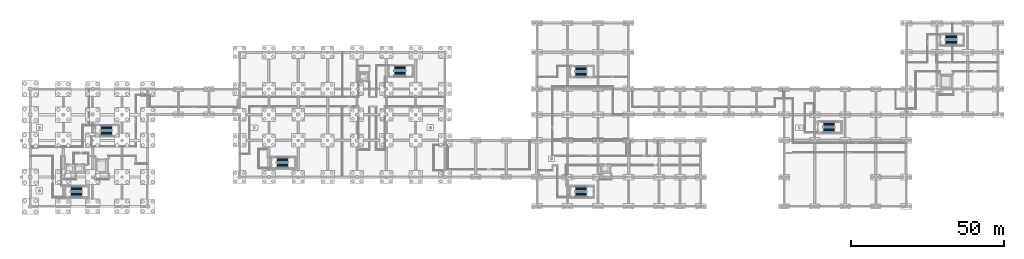
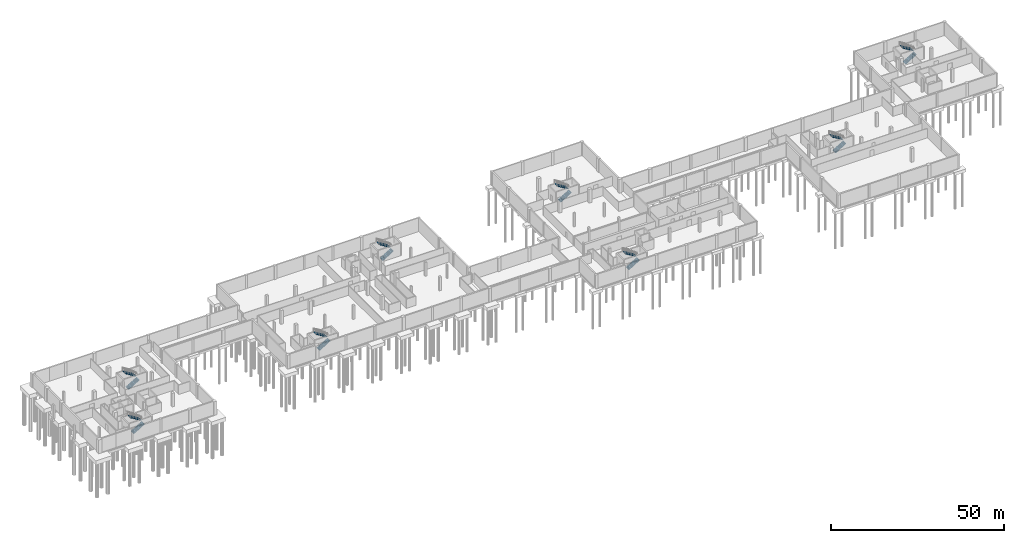
# One storey, part 20 of 28: 16 stair flights, 8 elements without a shape of their own.
"""IFC4 building model written with IfcOpenShell, lengths in metres."""

import ifcopenshell
import ifcopenshell.guid

model = None  # the IFC model being written
_history = None  # IfcOwnerHistory: only IFC2X3 demands one
_inside = {}  # id of a spatial element -> (the spatial element, [elements in it])
_under = {}  # id of a project, library or spatial element -> (it, [spatial elements below it])
_declared = {}  # id of a project -> (the project, [libraries it declares])
_typed = {}  # id of a type object -> (the type object, [elements of that type])
_made_of = {}  # id of a material, layer set ... -> (it, [elements and type objects made of it])


def new_model(schema):
    """Start an empty IFC model of exactly this schema.

    Asked for "IFC4X3", IfcOpenShell would pick the latest addendum, in which some entities
    have other attributes; the version numbers below select the first issue.
    IFC2X3 requires an IfcOwnerHistory on every rooted entity: one is made here for all.
    """
    global model, _history
    if schema == "IFC4X3":
        model = ifcopenshell.file(schema_version=(4, 3, 0, 0))
    else:
        model = ifcopenshell.file(schema=schema)
    _inside.clear()
    _under.clear()
    _declared.clear()
    _typed.clear()
    _made_of.clear()
    _history = None
    if model.schema == "IFC2X3":
        org = make("IfcOrganization", Name="unknown")
        user = make(
            "IfcPersonAndOrganization",
            ThePerson=make("IfcPerson", FamilyName="unknown"),
            TheOrganization=org,
        )
        app = make(
            "IfcApplication",
            ApplicationDeveloper=org,
            Version="unknown",
            ApplicationFullName="unknown",
            ApplicationIdentifier="unknown",
        )
        _history = make(
            "IfcOwnerHistory",
            OwningUser=user,
            OwningApplication=app,
            ChangeAction="ADDED",
            CreationDate=0,
        )
    return model


def make(cls, **values):
    """One entity of the class cls with the attributes given. An attribute that is None is left unset."""
    return model.create_entity(
        cls, **{name: value for name, value in values.items() if value is not None}
    )


def rooted(cls, **values):
    """An entity with a GlobalId (a new one), such as an element, a storey or a relation."""
    return make(cls, GlobalId=ifcopenshell.guid.new(), OwnerHistory=_history, **values)


def si_unit(unit_type, name, prefix=None):
    """IfcSIUnit, for example si_unit("LENGTHUNIT", "METRE", prefix="MILLI")."""
    return make("IfcSIUnit", UnitType=unit_type, Prefix=prefix, Name=name)


def assignment(units):
    """IfcUnitAssignment: the units of a project."""
    return None if units is None else make("IfcUnitAssignment", Units=units)


def point(xyz):
    """IfcCartesianPoint."""
    return None if xyz is None else make("IfcCartesianPoint", Coordinates=xyz)


def direction(xyz):
    """IfcDirection."""
    return None if xyz is None else make("IfcDirection", DirectionRatios=xyz)


def frame(location, z_axis=None, x_axis=None):
    """IfcAxis2Placement3D, a coordinate frame: its origin and axes. An axis left out is left unset."""
    return make(
        "IfcAxis2Placement3D",
        Location=point(location),
        Axis=direction(z_axis),
        RefDirection=direction(x_axis),
    )


def origin():
    """The frame at (0, 0, 0) with its axes left unset."""
    return frame((0.0, 0.0, 0.0))


def place(relative_to, where):
    """IfcLocalPlacement: puts the frame where relative to a parent placement (None: the world)."""
    return make(
        "IfcLocalPlacement", PlacementRelTo=relative_to, RelativePlacement=where
    )


def context(
    kind, dimensions, precision=None, world=None, true_north=None, identifier=None
):
    """IfcGeometricRepresentationContext, for example the 3D "Model" context."""
    return make(
        "IfcGeometricRepresentationContext",
        ContextIdentifier=identifier,
        ContextType=kind,
        CoordinateSpaceDimension=dimensions,
        Precision=precision,
        WorldCoordinateSystem=world,
        TrueNorth=true_north,
    )


def subcontext(parent, identifier, kind, view, scale=None):
    """IfcGeometricRepresentationSubContext, for example "Body" below "Model"."""
    return make(
        "IfcGeometricRepresentationSubContext",
        ContextIdentifier=identifier,
        ContextType=kind,
        ParentContext=parent,
        TargetScale=scale,
        TargetView=view,
    )


def project(units=None, contexts=None):
    """IfcProject with its units and contexts."""
    return rooted(
        "IfcProject",
        Name="project",
        RepresentationContexts=contexts,
        UnitsInContext=assignment(units),
    )


def spatial(cls, under=None, at=None, **own):
    """A site, building, storey or space (cls), placed at a placement, below another one or the project."""
    s = rooted(cls, ObjectPlacement=at, **own)
    if under is not None:
        _under.setdefault(under.id(), (under, []))[1].append(s)
    return s


def polyline(points):
    """IfcPolyline through the points."""
    return make("IfcPolyline", Points=[point(p) for p in points])


def outline(outer, holes=None, kind="AREA"):
    """IfcArbitraryClosedProfileDef: a profile drawn as a closed curve; with holes, ...WithVoids."""
    if holes is None:
        return make("IfcArbitraryClosedProfileDef", ProfileType=kind, OuterCurve=outer)
    return make(
        "IfcArbitraryProfileDefWithVoids",
        ProfileType=kind,
        OuterCurve=outer,
        InnerCurves=holes,
    )


def extrude(swept, where, along, depth):
    """IfcExtrudedAreaSolid: the profile swept, set in the frame where, extruded along a direction by depth."""
    return make(
        "IfcExtrudedAreaSolid",
        SweptArea=swept,
        Position=where,
        ExtrudedDirection=direction(along),
        Depth=depth,
    )


def shape(context_of_items, identifier, shape_type, items):
    """IfcShapeRepresentation: the items that make up one representation, for example the "Body"."""
    return make(
        "IfcShapeRepresentation",
        ContextOfItems=context_of_items,
        RepresentationIdentifier=identifier,
        RepresentationType=shape_type,
        Items=items,
    )


def material(Name=None, Category=None):
    """IfcMaterial."""
    return make("IfcMaterial", Name=Name, Category=Category)


def made_of(thing, what):
    """Note that an element or type object is made of a material, layer set ...; save() writes the relation."""
    if what is not None:
        _made_of.setdefault(what.id(), (what, []))[1].append(thing)
    return thing


def type_object(cls, material=None, **own):
    """A type object (cls), such as IfcWallType, which elements share."""
    return made_of(rooted(cls, **own), material)


def element(
    cls,
    number,
    at=None,
    inside=None,
    cuts=None,
    type_object=None,
    material=None,
    context=None,
    identifier="Body",
    shape_type=None,
    held_by="IfcProductDefinitionShape",
    body=None,
    shapes=None,
    **own,
):
    """One element of the class cls, such as IfcWall. Its Tag is "e" and its number.

    at: its placement. inside: the storey or other place that contains it. cuts: it is an
    opening in that element (IfcRelVoidsElement). A single representation is given by context,
    identifier, shape_type and body (its items); several are given by shapes. held_by: the class
    of the entity that holds the representations. save() writes the other relations.
    """
    e = rooted(cls, Tag="e%d" % number, ObjectPlacement=at, **own)
    if body is not None:
        shapes = [shape(context, identifier, shape_type, body)]
    if shapes is not None:
        e.Representation = make(held_by, Representations=shapes)
    if inside is not None:
        _inside.setdefault(inside.id(), (inside, []))[1].append(e)
    if cuts is not None:
        rooted(
            "IfcRelVoidsElement", RelatingBuildingElement=cuts, RelatedOpeningElement=e
        )
    if type_object is not None:
        _typed.setdefault(type_object.id(), (type_object, []))[1].append(e)
    return made_of(e, material)


def aggregate(whole, parts):
    """IfcRelAggregates: a whole, such as a stair, and the parts it consists of."""
    return rooted("IfcRelAggregates", RelatingObject=whole, RelatedObjects=parts)


def save(model, path):
    """Write the relations noted so far, then the file.

    IfcRelAggregates (storeys below a building ...), IfcRelContainedInSpatialStructure (elements
    in a storey), IfcRelDefinesByType, IfcRelAssociatesMaterial and IfcRelDeclares: one each for
    every whole, place, type object, material and project.
    """
    for whole, parts in _under.values():
        aggregate(whole, parts)
    for where, things in _inside.values():
        rooted(
            "IfcRelContainedInSpatialStructure",
            RelatedElements=things,
            RelatingStructure=where,
        )
    for kind, things in _typed.values():
        rooted("IfcRelDefinesByType", RelatedObjects=things, RelatingType=kind)
    for what, things in _made_of.values():
        rooted("IfcRelAssociatesMaterial", RelatedObjects=things, RelatingMaterial=what)
    for by, libraries in _declared.values():
        rooted("IfcRelDeclares", RelatingContext=by, RelatedDefinitions=libraries)
    model.write(path)


model = new_model("IFC4")

# Units and contexts
model_context = context("Model", 3, precision=1e-05, world=origin(), true_north=direction((0.0, 1.0)))
body_context = subcontext(model_context, "Body", "Model", "MODEL_VIEW")
ifc_project = project(units=[si_unit("LENGTHUNIT", "METRE"), si_unit("AREAUNIT", "SQUARE_METRE"), si_unit("VOLUMEUNIT", "CUBIC_METRE"), si_unit("PLANEANGLEUNIT", "RADIAN"), si_unit("MASSUNIT", "GRAM", prefix="KILO")], contexts=[model_context])

# Site, building, storey
site_placement = place(None, origin())
site = spatial("IfcSite", under=ifc_project, at=site_placement, CompositionType="ELEMENT")
building_placement = place(site_placement, origin())
building = spatial("IfcBuilding", under=site, at=building_placement, Name="Zereglee Splitstone Museum", CompositionType="ELEMENT")
storey_placement = place(building_placement, frame((0.0, 0.0, -4.800048828125)))
storey = spatial("IfcBuildingStorey", under=building, at=storey_placement, Name="B1", CompositionType="ELEMENT", Elevation=-4.800048828125)

# Stair, stair flights
ifc_material = material(Name="Concrete C35/45", Category="concrete")
stair_type_1 = type_object("IfcStairType", Name="ST-01A", PredefinedType="HALF_TURN_STAIR", material=ifc_material)
stair_1_placement = place(storey_placement, origin())
stair_1 = element("IfcStair", 1, at=stair_1_placement, inside=storey, type_object=stair_type_1, Name="B1 Protected Exit Stair ST-01 A", PredefinedType="HALF_TURN_STAIR")
stair_flight_type_1 = type_object("IfcStairFlightType", Name="ST-01A", PredefinedType="STRAIGHT", material=ifc_material)
stair_flight_1_placement = place(storey_placement, frame((22.85009765625, 3.89990234375, 0.0), z_axis=(0.0, 0.0, 1.0), x_axis=(1.0, 0.0, 0.0)))
stair_flight_1 = element("IfcStairFlight", 2, at=stair_flight_1_placement, type_object=stair_flight_type_1, Name="ST-01A flight 1", NumberOfRisers=14, NumberOfTreads=13, PredefinedType="STRAIGHT", RiserHeight=0.171428571, TreadLength=0.28, context=body_context, shape_type="SweptSolid", body=[
    extrude(outline(polyline([(0.0, 0.0), (0.0, 0.17138671875), (0.280029296875, 0.17138671875), (0.280029296875, 0.3427734375), (0.56005859375, 0.3427734375), (0.56005859375, 0.514404296875), (0.840087890625, 0.514404296875), (0.840087890625, 0.685791015625), (1.1201171875, 0.685791015625), (1.1201171875, 0.857177734375), (1.39990234375, 0.857177734375), (1.39990234375, 1.028564453125), (1.679931640625, 1.028564453125), (1.679931640625, 1.199951171875), (1.9599609375, 1.199951171875), (1.9599609375, 1.371337890625), (2.239990234375, 1.371337890625), (2.239990234375, 1.54296875), (2.52001953125, 1.54296875), (2.52001953125, 1.71435546875), (2.800048828125, 1.71435546875), (2.800048828125, 1.8857421875), (3.080078125, 1.8857421875), (3.080078125, 2.05712890625), (3.360107421875, 2.05712890625), (3.360107421875, 2.228515625), (3.639892578125, 2.228515625), (3.639892578125, 2.39990234375), (3.639892578125, 2.041015625), (0.30615234375, 0.0), (0.0, 0.0)])), frame((0.0, 0.800048828125, 0.0), z_axis=(0.0, -1.0, 0.0), x_axis=(1.0, 0.0, 0.0)), (0.0, 0.0, 1.0), 1.60009765625),
])
stair_flight_2_placement = place(storey_placement, frame((26.489990234375, 5.699951171875, 2.400146484375), z_axis=(0.0, 0.0, 1.0), x_axis=(-1.0, 0.0, 0.0)))
stair_flight_2 = element("IfcStairFlight", 3, at=stair_flight_2_placement, type_object=stair_flight_type_1, Name="ST-01A flight 2", NumberOfRisers=14, NumberOfTreads=13, PredefinedType="STRAIGHT", RiserHeight=0.171428571, TreadLength=0.28, context=body_context, shape_type="SweptSolid", body=[
    extrude(outline(polyline([(0.0, 0.0), (0.0, 0.17138671875), (0.280029296875, 0.17138671875), (0.280029296875, 0.3427734375), (0.56005859375, 0.3427734375), (0.56005859375, 0.514404296875), (0.840087890625, 0.514404296875), (0.840087890625, 0.685791015625), (1.1201171875, 0.685791015625), (1.1201171875, 0.857177734375), (1.39990234375, 0.857177734375), (1.39990234375, 1.028564453125), (1.679931640625, 1.028564453125), (1.679931640625, 1.199951171875), (1.9599609375, 1.199951171875), (1.9599609375, 1.371337890625), (2.239990234375, 1.371337890625), (2.239990234375, 1.54296875), (2.52001953125, 1.54296875), (2.52001953125, 1.71435546875), (2.800048828125, 1.71435546875), (2.800048828125, 1.8857421875), (3.080078125, 1.8857421875), (3.080078125, 2.05712890625), (3.360107421875, 2.05712890625), (3.360107421875, 2.228515625), (3.639892578125, 2.228515625), (3.639892578125, 2.39990234375), (3.639892578125, 2.041015625), (0.30615234375, 0.0), (0.0, 0.0)])), frame((0.0, 0.800048828125, 0.0), z_axis=(0.0, -1.0, 0.0), x_axis=(1.0, 0.0, 0.0)), (0.0, 0.0, 1.0), 1.60009765625),
])
aggregate(stair_1, [stair_flight_1, stair_flight_2])

stair_type_2 = type_object("IfcStairType", Name="ST-02A", PredefinedType="HALF_TURN_STAIR", material=ifc_material)
stair_2_placement = place(storey_placement, origin())
stair_2 = element("IfcStair", 4, at=stair_2_placement, inside=storey, type_object=stair_type_2, Name="B1 Protected Exit Stair ST-02 A", PredefinedType="HALF_TURN_STAIR")
stair_flight_type_2 = type_object("IfcStairFlightType", Name="ST-02A", PredefinedType="STRAIGHT", material=ifc_material)
stair_flight_3_placement = place(storey_placement, frame((32.64990234375, 23.89990234375, 0.0), z_axis=(0.0, 0.0, 1.0), x_axis=(1.0, 0.0, 0.0)))
stair_flight_3 = element("IfcStairFlight", 5, at=stair_flight_3_placement, type_object=stair_flight_type_2, Name="ST-02A flight 1", NumberOfRisers=14, NumberOfTreads=13, PredefinedType="STRAIGHT", RiserHeight=0.171428571, TreadLength=0.28, context=body_context, shape_type="SweptSolid", body=[
    extrude(outline(polyline([(0.0, 0.0), (0.0, 0.17138671875), (0.280029296875, 0.17138671875), (0.280029296875, 0.3427734375), (0.56005859375, 0.3427734375), (0.56005859375, 0.514404296875), (0.840087890625, 0.514404296875), (0.840087890625, 0.685791015625), (1.1201171875, 0.685791015625), (1.1201171875, 0.857177734375), (1.39990234375, 0.857177734375), (1.39990234375, 1.028564453125), (1.679931640625, 1.028564453125), (1.679931640625, 1.199951171875), (1.9599609375, 1.199951171875), (1.9599609375, 1.371337890625), (2.239990234375, 1.371337890625), (2.239990234375, 1.54296875), (2.52001953125, 1.54296875), (2.52001953125, 1.71435546875), (2.800048828125, 1.71435546875), (2.800048828125, 1.8857421875), (3.080078125, 1.8857421875), (3.080078125, 2.05712890625), (3.360107421875, 2.05712890625), (3.360107421875, 2.228515625), (3.639892578125, 2.228515625), (3.639892578125, 2.39990234375), (3.639892578125, 2.041015625), (0.30615234375, 0.0), (0.0, 0.0)])), frame((0.0, 0.800048828125, 0.0), z_axis=(0.0, -1.0, 0.0), x_axis=(1.0, 0.0, 0.0)), (0.0, 0.0, 1.0), 1.60009765625),
])
stair_flight_4_placement = place(storey_placement, frame((36.2900390625, 25.699951171875, 2.400146484375), z_axis=(0.0, 0.0, 1.0), x_axis=(-1.0, 0.0, 0.0)))
stair_flight_4 = element("IfcStairFlight", 6, at=stair_flight_4_placement, type_object=stair_flight_type_2, Name="ST-02A flight 2", NumberOfRisers=14, NumberOfTreads=13, PredefinedType="STRAIGHT", RiserHeight=0.171428571, TreadLength=0.28, context=body_context, shape_type="SweptSolid", body=[
    extrude(outline(polyline([(0.0, 0.0), (0.0, 0.17138671875), (0.280029296875, 0.17138671875), (0.280029296875, 0.3427734375), (0.56005859375, 0.3427734375), (0.56005859375, 0.514404296875), (0.840087890625, 0.514404296875), (0.840087890625, 0.685791015625), (1.1201171875, 0.685791015625), (1.1201171875, 0.857177734375), (1.39990234375, 0.857177734375), (1.39990234375, 1.028564453125), (1.679931640625, 1.028564453125), (1.679931640625, 1.199951171875), (1.9599609375, 1.199951171875), (1.9599609375, 1.371337890625), (2.239990234375, 1.371337890625), (2.239990234375, 1.54296875), (2.52001953125, 1.54296875), (2.52001953125, 1.71435546875), (2.800048828125, 1.71435546875), (2.800048828125, 1.8857421875), (3.080078125, 1.8857421875), (3.080078125, 2.05712890625), (3.360107421875, 2.05712890625), (3.360107421875, 2.228515625), (3.639892578125, 2.228515625), (3.639892578125, 2.39990234375), (3.639892578125, 2.041015625), (0.30615234375, 0.0), (0.0, 0.0)])), frame((0.0, 0.800048828125, 0.0), z_axis=(0.0, -1.0, 0.0), x_axis=(1.0, 0.0, 0.0)), (0.0, 0.0, 1.0), 1.60009765625),
])
aggregate(stair_2, [stair_flight_3, stair_flight_4])

stair_type_3 = type_object("IfcStairType", Name="ST-03A", PredefinedType="HALF_TURN_STAIR", material=ifc_material)
stair_3_placement = place(storey_placement, origin())
stair_3 = element("IfcStair", 7, at=stair_3_placement, inside=storey, type_object=stair_type_3, Name="B1 Protected Exit Stair ST-03 A", PredefinedType="HALF_TURN_STAIR")
stair_flight_type_3 = type_object("IfcStairFlightType", Name="ST-03A", PredefinedType="STRAIGHT", material=ifc_material)
stair_flight_5_placement = place(storey_placement, frame((128.64990234375, 43.39990234375, 0.0), z_axis=(0.0, 0.0, 1.0), x_axis=(1.0, 0.0, 0.0)))
stair_flight_5 = element("IfcStairFlight", 8, at=stair_flight_5_placement, type_object=stair_flight_type_3, Name="ST-03A flight 1", NumberOfRisers=14, NumberOfTreads=13, PredefinedType="STRAIGHT", RiserHeight=0.171428571, TreadLength=0.28, context=body_context, shape_type="SweptSolid", body=[
    extrude(outline(polyline([(0.0, 0.0), (0.0, 0.17138671875), (0.280029296875, 0.17138671875), (0.280029296875, 0.3427734375), (0.56005859375, 0.3427734375), (0.56005859375, 0.514404296875), (0.840087890625, 0.514404296875), (0.840087890625, 0.685791015625), (1.1201171875, 0.685791015625), (1.1201171875, 0.857177734375), (1.39990234375, 0.857177734375), (1.39990234375, 1.028564453125), (1.679931640625, 1.028564453125), (1.679931640625, 1.199951171875), (1.9599609375, 1.199951171875), (1.9599609375, 1.371337890625), (2.239990234375, 1.371337890625), (2.239990234375, 1.54296875), (2.52001953125, 1.54296875), (2.52001953125, 1.71435546875), (2.800048828125, 1.71435546875), (2.800048828125, 1.8857421875), (3.080078125, 1.8857421875), (3.080078125, 2.05712890625), (3.360107421875, 2.05712890625), (3.360107421875, 2.228515625), (3.639892578125, 2.228515625), (3.639892578125, 2.39990234375), (3.639892578125, 2.041015625), (0.30615234375, 0.0), (0.0, 0.0)])), frame((0.0, 0.800048828125, 0.0), z_axis=(0.0, -1.0, 0.0), x_axis=(1.0, 0.0, 0.0)), (0.0, 0.0, 1.0), 1.60009765625),
])
stair_flight_6_placement = place(storey_placement, frame((132.2900390625, 45.199951171875, 2.400146484375), z_axis=(0.0, 0.0, 1.0), x_axis=(-1.0, 0.0, 0.0)))
stair_flight_6 = element("IfcStairFlight", 9, at=stair_flight_6_placement, type_object=stair_flight_type_3, Name="ST-03A flight 2", NumberOfRisers=14, NumberOfTreads=13, PredefinedType="STRAIGHT", RiserHeight=0.171428571, TreadLength=0.28, context=body_context, shape_type="SweptSolid", body=[
    extrude(outline(polyline([(0.0, 0.0), (0.0, 0.17138671875), (0.280029296875, 0.17138671875), (0.280029296875, 0.3427734375), (0.56005859375, 0.3427734375), (0.56005859375, 0.514404296875), (0.840087890625, 0.514404296875), (0.840087890625, 0.685791015625), (1.1201171875, 0.685791015625), (1.1201171875, 0.857177734375), (1.39990234375, 0.857177734375), (1.39990234375, 1.028564453125), (1.679931640625, 1.028564453125), (1.679931640625, 1.199951171875), (1.9599609375, 1.199951171875), (1.9599609375, 1.371337890625), (2.239990234375, 1.371337890625), (2.239990234375, 1.54296875), (2.52001953125, 1.54296875), (2.52001953125, 1.71435546875), (2.800048828125, 1.71435546875), (2.800048828125, 1.8857421875), (3.080078125, 1.8857421875), (3.080078125, 2.05712890625), (3.360107421875, 2.05712890625), (3.360107421875, 2.228515625), (3.639892578125, 2.228515625), (3.639892578125, 2.39990234375), (3.639892578125, 2.041015625), (0.30615234375, 0.0), (0.0, 0.0)])), frame((0.0, 0.800048828125, 0.0), z_axis=(0.0, -1.0, 0.0), x_axis=(1.0, 0.0, 0.0)), (0.0, 0.0, 1.0), 1.60009765625),
])
aggregate(stair_3, [stair_flight_5, stair_flight_6])

stair_type_4 = type_object("IfcStairType", Name="ST-04A", PredefinedType="HALF_TURN_STAIR", material=ifc_material)
stair_4_placement = place(storey_placement, origin())
stair_4 = element("IfcStair", 10, at=stair_4_placement, inside=storey, type_object=stair_type_4, Name="B1 Protected Exit Stair ST-04 A", PredefinedType="HALF_TURN_STAIR")
stair_flight_type_4 = type_object("IfcStairFlightType", Name="ST-04A", PredefinedType="STRAIGHT", material=ifc_material)
stair_flight_7_placement = place(storey_placement, frame((187.85009765625, 3.89990234375, 0.0), z_axis=(0.0, 0.0, 1.0), x_axis=(1.0, 0.0, 0.0)))
stair_flight_7 = element("IfcStairFlight", 11, at=stair_flight_7_placement, type_object=stair_flight_type_4, Name="ST-04A flight 1", NumberOfRisers=14, NumberOfTreads=13, PredefinedType="STRAIGHT", RiserHeight=0.171428571, TreadLength=0.28, context=body_context, shape_type="SweptSolid", body=[
    extrude(outline(polyline([(0.0, 0.0), (0.0, 0.17138671875), (0.280029296875, 0.17138671875), (0.280029296875, 0.3427734375), (0.56005859375, 0.3427734375), (0.56005859375, 0.514404296875), (0.840087890625, 0.514404296875), (0.840087890625, 0.685791015625), (1.1201171875, 0.685791015625), (1.1201171875, 0.857177734375), (1.39990234375, 0.857177734375), (1.39990234375, 1.028564453125), (1.679931640625, 1.028564453125), (1.679931640625, 1.199951171875), (1.9599609375, 1.199951171875), (1.9599609375, 1.371337890625), (2.239990234375, 1.371337890625), (2.239990234375, 1.54296875), (2.52001953125, 1.54296875), (2.52001953125, 1.71435546875), (2.800048828125, 1.71435546875), (2.800048828125, 1.8857421875), (3.080078125, 1.8857421875), (3.080078125, 2.05712890625), (3.360107421875, 2.05712890625), (3.360107421875, 2.228515625), (3.639892578125, 2.228515625), (3.639892578125, 2.39990234375), (3.639892578125, 2.041015625), (0.30615234375, 0.0), (0.0, 0.0)])), frame((0.0, 0.800048828125, 0.0), z_axis=(0.0, -1.0, 0.0), x_axis=(1.0, 0.0, 0.0)), (0.0, 0.0, 1.0), 1.60009765625),
])
stair_flight_8_placement = place(storey_placement, frame((191.489990234375, 5.699951171875, 2.400146484375), z_axis=(0.0, 0.0, 1.0), x_axis=(-1.0, 0.0, 0.0)))
stair_flight_8 = element("IfcStairFlight", 12, at=stair_flight_8_placement, type_object=stair_flight_type_4, Name="ST-04A flight 2", NumberOfRisers=14, NumberOfTreads=13, PredefinedType="STRAIGHT", RiserHeight=0.171428571, TreadLength=0.28, context=body_context, shape_type="SweptSolid", body=[
    extrude(outline(polyline([(0.0, 0.0), (0.0, 0.17138671875), (0.280029296875, 0.17138671875), (0.280029296875, 0.3427734375), (0.56005859375, 0.3427734375), (0.56005859375, 0.514404296875), (0.840087890625, 0.514404296875), (0.840087890625, 0.685791015625), (1.1201171875, 0.685791015625), (1.1201171875, 0.857177734375), (1.39990234375, 0.857177734375), (1.39990234375, 1.028564453125), (1.679931640625, 1.028564453125), (1.679931640625, 1.199951171875), (1.9599609375, 1.199951171875), (1.9599609375, 1.371337890625), (2.239990234375, 1.371337890625), (2.239990234375, 1.54296875), (2.52001953125, 1.54296875), (2.52001953125, 1.71435546875), (2.800048828125, 1.71435546875), (2.800048828125, 1.8857421875), (3.080078125, 1.8857421875), (3.080078125, 2.05712890625), (3.360107421875, 2.05712890625), (3.360107421875, 2.228515625), (3.639892578125, 2.228515625), (3.639892578125, 2.39990234375), (3.639892578125, 2.041015625), (0.30615234375, 0.0), (0.0, 0.0)])), frame((0.0, 0.800048828125, 0.0), z_axis=(0.0, -1.0, 0.0), x_axis=(1.0, 0.0, 0.0)), (0.0, 0.0, 1.0), 1.60009765625),
])
aggregate(stair_4, [stair_flight_7, stair_flight_8])

stair_type_5 = type_object("IfcStairType", Name="ST-05A", PredefinedType="HALF_TURN_STAIR", material=ifc_material)
stair_5_placement = place(storey_placement, origin())
stair_5 = element("IfcStair", 13, at=stair_5_placement, inside=storey, type_object=stair_type_5, Name="B1 Protected Exit Stair ST-05 A", PredefinedType="HALF_TURN_STAIR")
stair_flight_type_5 = type_object("IfcStairFlightType", Name="ST-05A", PredefinedType="STRAIGHT", material=ifc_material)
stair_flight_9_placement = place(storey_placement, frame((268.85009765625, 25.0, 0.0), z_axis=(0.0, 0.0, 1.0), x_axis=(1.0, 0.0, 0.0)))
stair_flight_9 = element("IfcStairFlight", 14, at=stair_flight_9_placement, type_object=stair_flight_type_5, Name="ST-05A flight 1", NumberOfRisers=14, NumberOfTreads=13, PredefinedType="STRAIGHT", RiserHeight=0.171428571, TreadLength=0.28, context=body_context, shape_type="SweptSolid", body=[
    extrude(outline(polyline([(0.0, 0.0), (0.0, 0.17138671875), (0.280029296875, 0.17138671875), (0.280029296875, 0.3427734375), (0.56005859375, 0.3427734375), (0.56005859375, 0.514404296875), (0.840087890625, 0.514404296875), (0.840087890625, 0.685791015625), (1.1201171875, 0.685791015625), (1.1201171875, 0.857177734375), (1.39990234375, 0.857177734375), (1.39990234375, 1.028564453125), (1.679931640625, 1.028564453125), (1.679931640625, 1.199951171875), (1.9599609375, 1.199951171875), (1.9599609375, 1.371337890625), (2.239990234375, 1.371337890625), (2.239990234375, 1.54296875), (2.52001953125, 1.54296875), (2.52001953125, 1.71435546875), (2.800048828125, 1.71435546875), (2.800048828125, 1.8857421875), (3.080078125, 1.8857421875), (3.080078125, 2.05712890625), (3.360107421875, 2.05712890625), (3.360107421875, 2.228515625), (3.639892578125, 2.228515625), (3.639892578125, 2.39990234375), (3.639892578125, 2.041015625), (0.30615234375, 0.0), (0.0, 0.0)])), frame((0.0, 0.800048828125, 0.0), z_axis=(0.0, -1.0, 0.0), x_axis=(1.0, 0.0, 0.0)), (0.0, 0.0, 1.0), 1.60009765625),
])
stair_flight_10_placement = place(storey_placement, frame((272.489990234375, 26.800048828125, 2.400146484375), z_axis=(0.0, 0.0, 1.0), x_axis=(-1.0, 0.0, 0.0)))
stair_flight_10 = element("IfcStairFlight", 15, at=stair_flight_10_placement, type_object=stair_flight_type_5, Name="ST-05A flight 2", NumberOfRisers=14, NumberOfTreads=13, PredefinedType="STRAIGHT", RiserHeight=0.171428571, TreadLength=0.28, context=body_context, shape_type="SweptSolid", body=[
    extrude(outline(polyline([(0.0, 0.0), (0.0, 0.17138671875), (0.280029296875, 0.17138671875), (0.280029296875, 0.3427734375), (0.56005859375, 0.3427734375), (0.56005859375, 0.514404296875), (0.840087890625, 0.514404296875), (0.840087890625, 0.685791015625), (1.1201171875, 0.685791015625), (1.1201171875, 0.857177734375), (1.39990234375, 0.857177734375), (1.39990234375, 1.028564453125), (1.679931640625, 1.028564453125), (1.679931640625, 1.199951171875), (1.9599609375, 1.199951171875), (1.9599609375, 1.371337890625), (2.239990234375, 1.371337890625), (2.239990234375, 1.54296875), (2.52001953125, 1.54296875), (2.52001953125, 1.71435546875), (2.800048828125, 1.71435546875), (2.800048828125, 1.8857421875), (3.080078125, 1.8857421875), (3.080078125, 2.05712890625), (3.360107421875, 2.05712890625), (3.360107421875, 2.228515625), (3.639892578125, 2.228515625), (3.639892578125, 2.39990234375), (3.639892578125, 2.041015625), (0.30615234375, 0.0), (0.0, 0.0)])), frame((0.0, 0.800048828125, 0.0), z_axis=(0.0, -1.0, 0.0), x_axis=(1.0, 0.0, 0.0)), (0.0, 0.0, 1.0), 1.60009765625),
])
aggregate(stair_5, [stair_flight_9, stair_flight_10])

stair_type_6 = type_object("IfcStairType", Name="ST-06A", PredefinedType="HALF_TURN_STAIR", material=ifc_material)
stair_6_placement = place(storey_placement, origin())
stair_6 = element("IfcStair", 16, at=stair_6_placement, inside=storey, type_object=stair_type_6, Name="B1 Protected Exit Stair ST-06 A", PredefinedType="HALF_TURN_STAIR")
stair_flight_type_6 = type_object("IfcStairFlightType", Name="ST-06A", PredefinedType="STRAIGHT", material=ifc_material)
stair_flight_11_placement = place(storey_placement, frame((90.25, 13.39990234375, 0.0), z_axis=(0.0, 0.0, 1.0), x_axis=(1.0, 0.0, 0.0)))
stair_flight_11 = element("IfcStairFlight", 17, at=stair_flight_11_placement, type_object=stair_flight_type_6, Name="ST-06A flight 1", NumberOfRisers=14, NumberOfTreads=13, PredefinedType="STRAIGHT", RiserHeight=0.171428571, TreadLength=0.28, context=body_context, shape_type="SweptSolid", body=[
    extrude(outline(polyline([(0.0, 0.0), (0.0, 0.17138671875), (0.280029296875, 0.17138671875), (0.280029296875, 0.3427734375), (0.56005859375, 0.3427734375), (0.56005859375, 0.514404296875), (0.840087890625, 0.514404296875), (0.840087890625, 0.685791015625), (1.1201171875, 0.685791015625), (1.1201171875, 0.857177734375), (1.39990234375, 0.857177734375), (1.39990234375, 1.028564453125), (1.679931640625, 1.028564453125), (1.679931640625, 1.199951171875), (1.9599609375, 1.199951171875), (1.9599609375, 1.371337890625), (2.239990234375, 1.371337890625), (2.239990234375, 1.54296875), (2.52001953125, 1.54296875), (2.52001953125, 1.71435546875), (2.800048828125, 1.71435546875), (2.800048828125, 1.8857421875), (3.080078125, 1.8857421875), (3.080078125, 2.05712890625), (3.360107421875, 2.05712890625), (3.360107421875, 2.228515625), (3.639892578125, 2.228515625), (3.639892578125, 2.39990234375), (3.639892578125, 2.041015625), (0.30615234375, 0.0), (0.0, 0.0)])), frame((0.0, 0.800048828125, 0.0), z_axis=(0.0, -1.0, 0.0), x_axis=(1.0, 0.0, 0.0)), (0.0, 0.0, 1.0), 1.60009765625),
])
stair_flight_12_placement = place(storey_placement, frame((93.889892578125, 15.199951171875, 2.400146484375), z_axis=(0.0, 0.0, 1.0), x_axis=(-1.0, 0.0, 0.0)))
stair_flight_12 = element("IfcStairFlight", 18, at=stair_flight_12_placement, type_object=stair_flight_type_6, Name="ST-06A flight 2", NumberOfRisers=14, NumberOfTreads=13, PredefinedType="STRAIGHT", RiserHeight=0.171428571, TreadLength=0.28, context=body_context, shape_type="SweptSolid", body=[
    extrude(outline(polyline([(0.0, 0.0), (0.0, 0.17138671875), (0.280029296875, 0.17138671875), (0.280029296875, 0.3427734375), (0.56005859375, 0.3427734375), (0.56005859375, 0.514404296875), (0.840087890625, 0.514404296875), (0.840087890625, 0.685791015625), (1.1201171875, 0.685791015625), (1.1201171875, 0.857177734375), (1.39990234375, 0.857177734375), (1.39990234375, 1.028564453125), (1.679931640625, 1.028564453125), (1.679931640625, 1.199951171875), (1.9599609375, 1.199951171875), (1.9599609375, 1.371337890625), (2.239990234375, 1.371337890625), (2.239990234375, 1.54296875), (2.52001953125, 1.54296875), (2.52001953125, 1.71435546875), (2.800048828125, 1.71435546875), (2.800048828125, 1.8857421875), (3.080078125, 1.8857421875), (3.080078125, 2.05712890625), (3.360107421875, 2.05712890625), (3.360107421875, 2.228515625), (3.639892578125, 2.228515625), (3.639892578125, 2.39990234375), (3.639892578125, 2.041015625), (0.30615234375, 0.0), (0.0, 0.0)])), frame((0.0, 0.800048828125, 0.0), z_axis=(0.0, -1.0, 0.0), x_axis=(1.0, 0.0, 0.0)), (0.0, 0.0, 1.0), 1.60009765625),
])
aggregate(stair_6, [stair_flight_11, stair_flight_12])

stair_type_7 = type_object("IfcStairType", Name="ST-07A", PredefinedType="HALF_TURN_STAIR", material=ifc_material)
stair_7_placement = place(storey_placement, origin())
stair_7 = element("IfcStair", 19, at=stair_7_placement, inside=storey, type_object=stair_type_7, Name="B1 Protected Exit Stair ST-07 A", PredefinedType="HALF_TURN_STAIR")
stair_flight_type_7 = type_object("IfcStairFlightType", Name="ST-07A", PredefinedType="STRAIGHT", material=ifc_material)
stair_flight_13_placement = place(storey_placement, frame((187.85009765625, 43.199951171875, 0.0), z_axis=(0.0, 0.0, 1.0), x_axis=(1.0, 0.0, 0.0)))
stair_flight_13 = element("IfcStairFlight", 20, at=stair_flight_13_placement, type_object=stair_flight_type_7, Name="ST-07A flight 1", NumberOfRisers=14, NumberOfTreads=13, PredefinedType="STRAIGHT", RiserHeight=0.171428571, TreadLength=0.28, context=body_context, shape_type="SweptSolid", body=[
    extrude(outline(polyline([(0.0, 0.0), (0.0, 0.17138671875), (0.280029296875, 0.17138671875), (0.280029296875, 0.3427734375), (0.56005859375, 0.3427734375), (0.56005859375, 0.514404296875), (0.840087890625, 0.514404296875), (0.840087890625, 0.685791015625), (1.1201171875, 0.685791015625), (1.1201171875, 0.857177734375), (1.39990234375, 0.857177734375), (1.39990234375, 1.028564453125), (1.679931640625, 1.028564453125), (1.679931640625, 1.199951171875), (1.9599609375, 1.199951171875), (1.9599609375, 1.371337890625), (2.239990234375, 1.371337890625), (2.239990234375, 1.54296875), (2.52001953125, 1.54296875), (2.52001953125, 1.71435546875), (2.800048828125, 1.71435546875), (2.800048828125, 1.8857421875), (3.080078125, 1.8857421875), (3.080078125, 2.05712890625), (3.360107421875, 2.05712890625), (3.360107421875, 2.228515625), (3.639892578125, 2.228515625), (3.639892578125, 2.39990234375), (3.639892578125, 2.041015625), (0.30615234375, 0.0), (0.0, 0.0)])), frame((0.0, 0.800048828125, 0.0), z_axis=(0.0, -1.0, 0.0), x_axis=(1.0, 0.0, 0.0)), (0.0, 0.0, 1.0), 1.60009765625),
])
stair_flight_14_placement = place(storey_placement, frame((191.489990234375, 45.0, 2.400146484375), z_axis=(0.0, 0.0, 1.0), x_axis=(-1.0, 0.0, 0.0)))
stair_flight_14 = element("IfcStairFlight", 21, at=stair_flight_14_placement, type_object=stair_flight_type_7, Name="ST-07A flight 2", NumberOfRisers=14, NumberOfTreads=13, PredefinedType="STRAIGHT", RiserHeight=0.171428571, TreadLength=0.28, context=body_context, shape_type="SweptSolid", body=[
    extrude(outline(polyline([(0.0, 0.0), (0.0, 0.17138671875), (0.280029296875, 0.17138671875), (0.280029296875, 0.3427734375), (0.56005859375, 0.3427734375), (0.56005859375, 0.514404296875), (0.840087890625, 0.514404296875), (0.840087890625, 0.685791015625), (1.1201171875, 0.685791015625), (1.1201171875, 0.857177734375), (1.39990234375, 0.857177734375), (1.39990234375, 1.028564453125), (1.679931640625, 1.028564453125), (1.679931640625, 1.199951171875), (1.9599609375, 1.199951171875), (1.9599609375, 1.371337890625), (2.239990234375, 1.371337890625), (2.239990234375, 1.54296875), (2.52001953125, 1.54296875), (2.52001953125, 1.71435546875), (2.800048828125, 1.71435546875), (2.800048828125, 1.8857421875), (3.080078125, 1.8857421875), (3.080078125, 2.05712890625), (3.360107421875, 2.05712890625), (3.360107421875, 2.228515625), (3.639892578125, 2.228515625), (3.639892578125, 2.39990234375), (3.639892578125, 2.041015625), (0.30615234375, 0.0), (0.0, 0.0)])), frame((0.0, 0.800048828125, 0.0), z_axis=(0.0, -1.0, 0.0), x_axis=(1.0, 0.0, 0.0)), (0.0, 0.0, 1.0), 1.60009765625),
])
aggregate(stair_7, [stair_flight_13, stair_flight_14])

stair_type_8 = type_object("IfcStairType", Name="ST-08A", PredefinedType="HALF_TURN_STAIR", material=ifc_material)
stair_8_placement = place(storey_placement, origin())
stair_8 = element("IfcStair", 22, at=stair_8_placement, inside=storey, type_object=stair_type_8, Name="B1 Protected Exit Stair ST-08 A", PredefinedType="HALF_TURN_STAIR")
stair_flight_type_8 = type_object("IfcStairFlightType", Name="ST-08A", PredefinedType="STRAIGHT", material=ifc_material)
stair_flight_15_placement = place(storey_placement, frame((308.85009765625, 53.60009765625, 0.0), z_axis=(0.0, 0.0, 1.0), x_axis=(1.0, 0.0, 0.0)))
stair_flight_15 = element("IfcStairFlight", 23, at=stair_flight_15_placement, type_object=stair_flight_type_8, Name="ST-08A flight 1", NumberOfRisers=14, NumberOfTreads=13, PredefinedType="STRAIGHT", RiserHeight=0.171428571, TreadLength=0.28, context=body_context, shape_type="SweptSolid", body=[
    extrude(outline(polyline([(0.0, 0.0), (0.0, 0.17138671875), (0.280029296875, 0.17138671875), (0.280029296875, 0.3427734375), (0.56005859375, 0.3427734375), (0.56005859375, 0.514404296875), (0.840087890625, 0.514404296875), (0.840087890625, 0.685791015625), (1.1201171875, 0.685791015625), (1.1201171875, 0.857177734375), (1.39990234375, 0.857177734375), (1.39990234375, 1.028564453125), (1.679931640625, 1.028564453125), (1.679931640625, 1.199951171875), (1.9599609375, 1.199951171875), (1.9599609375, 1.371337890625), (2.239990234375, 1.371337890625), (2.239990234375, 1.54296875), (2.52001953125, 1.54296875), (2.52001953125, 1.71435546875), (2.800048828125, 1.71435546875), (2.800048828125, 1.8857421875), (3.080078125, 1.8857421875), (3.080078125, 2.05712890625), (3.360107421875, 2.05712890625), (3.360107421875, 2.228515625), (3.639892578125, 2.228515625), (3.639892578125, 2.39990234375), (3.639892578125, 2.041015625), (0.30615234375, 0.0), (0.0, 0.0)])), frame((0.0, 0.800048828125, 0.0), z_axis=(0.0, -1.0, 0.0), x_axis=(1.0, 0.0, 0.0)), (0.0, 0.0, 1.0), 1.60009765625),
])
stair_flight_16_placement = place(storey_placement, frame((312.489990234375, 55.39990234375, 2.400146484375), z_axis=(0.0, 0.0, 1.0), x_axis=(-1.0, 0.0, 0.0)))
stair_flight_16 = element("IfcStairFlight", 24, at=stair_flight_16_placement, type_object=stair_flight_type_8, Name="ST-08A flight 2", NumberOfRisers=14, NumberOfTreads=13, PredefinedType="STRAIGHT", RiserHeight=0.171428571, TreadLength=0.28, context=body_context, shape_type="SweptSolid", body=[
    extrude(outline(polyline([(0.0, 0.0), (0.0, 0.17138671875), (0.280029296875, 0.17138671875), (0.280029296875, 0.3427734375), (0.56005859375, 0.3427734375), (0.56005859375, 0.514404296875), (0.840087890625, 0.514404296875), (0.840087890625, 0.685791015625), (1.1201171875, 0.685791015625), (1.1201171875, 0.857177734375), (1.39990234375, 0.857177734375), (1.39990234375, 1.028564453125), (1.679931640625, 1.028564453125), (1.679931640625, 1.199951171875), (1.9599609375, 1.199951171875), (1.9599609375, 1.371337890625), (2.239990234375, 1.371337890625), (2.239990234375, 1.54296875), (2.52001953125, 1.54296875), (2.52001953125, 1.71435546875), (2.800048828125, 1.71435546875), (2.800048828125, 1.8857421875), (3.080078125, 1.8857421875), (3.080078125, 2.05712890625), (3.360107421875, 2.05712890625), (3.360107421875, 2.228515625), (3.639892578125, 2.228515625), (3.639892578125, 2.39990234375), (3.639892578125, 2.041015625), (0.30615234375, 0.0), (0.0, 0.0)])), frame((0.0, 0.800048828125, 0.0), z_axis=(0.0, -1.0, 0.0), x_axis=(1.0, 0.0, 0.0)), (0.0, 0.0, 1.0), 1.60009765625),
])
aggregate(stair_8, [stair_flight_15, stair_flight_16])

save(model, "model.ifc")
